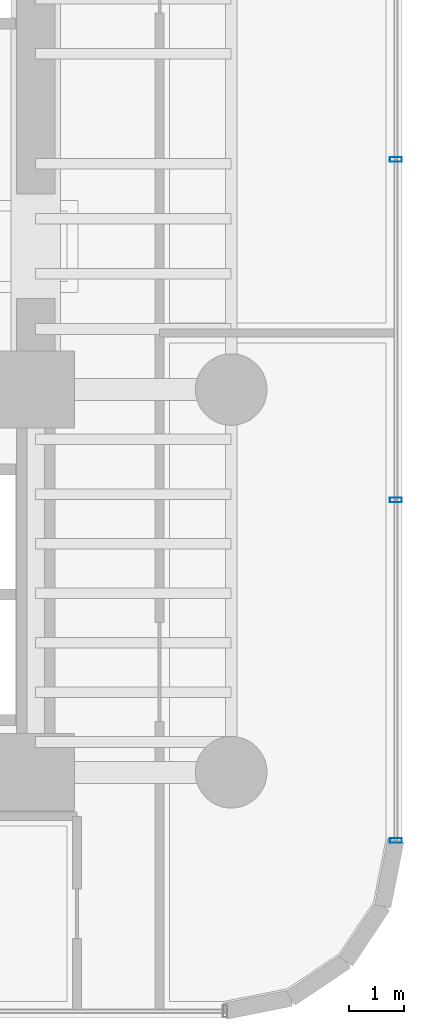
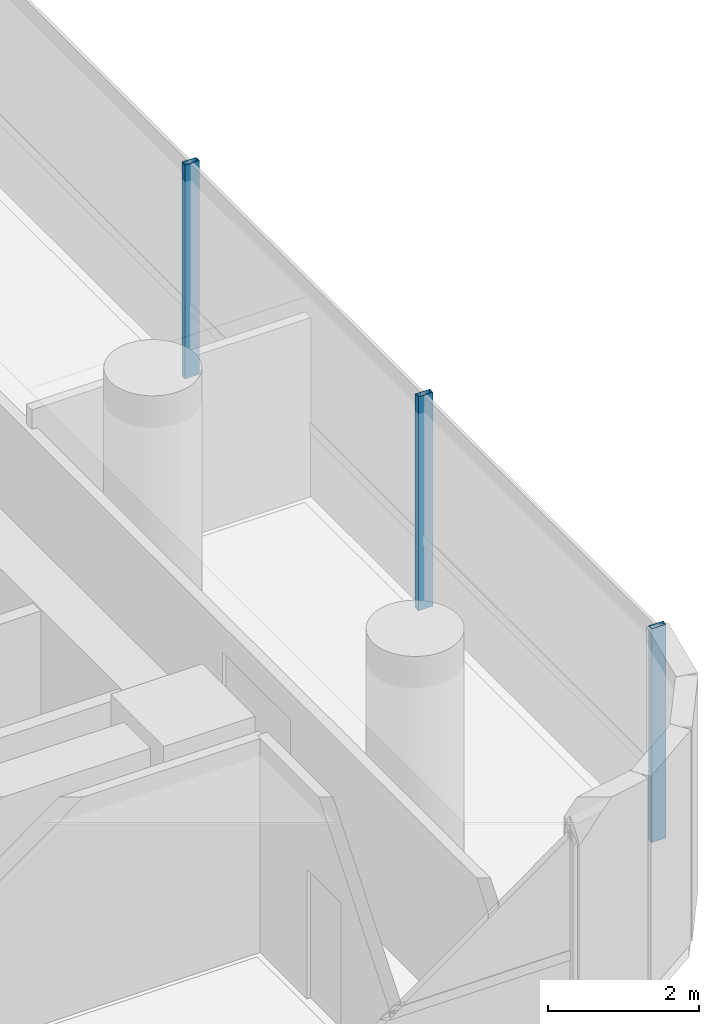
# One storey, part 25 of 40: 3 members, 1 element without a shape of its own.
"""IFC4 building model written with IfcOpenShell, lengths in metres."""

from ifc_helpers import new_model, si_unit, direction, frame, origin, origin_2d, place, context, subcontext, project, spatial, hollow_rectangle, extrude, source, transform, mapped, material, material_profile, profile_set, type_object, element, aggregate, save


model = new_model("IFC4")

# Units and contexts
model_context = context("Model", 3, precision=1e-05, world=origin(), true_north=direction((0.0, 1.0)))
body_context = subcontext(model_context, "Body", "Model", "MODEL_VIEW")
ifc_project = project(units=[si_unit("LENGTHUNIT", "METRE"), si_unit("AREAUNIT", "SQUARE_METRE"), si_unit("VOLUMEUNIT", "CUBIC_METRE"), si_unit("PLANEANGLEUNIT", "RADIAN"), si_unit("MASSUNIT", "GRAM", prefix="KILO")], contexts=[model_context])

# Site, building, storey
site_placement = place(None, origin())
site = spatial("IfcSite", under=ifc_project, at=site_placement, CompositionType="ELEMENT")
building_placement = place(site_placement, origin())
building = spatial("IfcBuilding", under=site, at=building_placement, Name="Valdorenza Pilgrim Sanctuary Tower", CompositionType="ELEMENT")
storey_placement = place(building_placement, frame((0.0, 0.0, 92.60009765625)))
storey = spatial("IfcBuildingStorey", under=building, at=storey_placement, Name="L23", CompositionType="ELEMENT", Elevation=92.60009765625)

# Curtain wall, members
ifc_material_1 = material(Name="Curtain-wall IGU glazing", Category="glass")
curtain_wall_type = type_object("IfcCurtainWallType", Name="CW-SYS-03", PredefinedType="NOTDEFINED", material=ifc_material_1)
curtain_wall_placement = place(storey_placement, origin())
curtain_wall = element("IfcCurtainWall", 1, at=curtain_wall_placement, inside=storey, type_object=curtain_wall_type, Name="L23 Curtain Wall CW-L23-1-21", PredefinedType="NOTDEFINED")
ifc_material_2 = material(Name="Anodised aluminium AW-6060", Category="aluminium")
ifc_material_profile = material_profile(ifc_material_2, hollow_rectangle(XDim=0.0849609375, YDim=0.219970703125, WallThickness=0.0048828125, at=origin_2d()), Name="ALU-M 220x85x5")
ifc_profile_set = profile_set([ifc_material_profile], Name="Anodised aluminium AW-6060")
member_type = type_object("IfcMemberType", Name="CW-MUL-03", PredefinedType="MULLION", material=ifc_profile_set)
shared_shape = source(origin(), body_context, "Body", "SweptSolid", [
    extrude(hollow_rectangle(XDim=0.0849609375, YDim=0.219970703125, WallThickness=0.0048828125, at=origin_2d()), origin(), (0.0, 0.0, 1.0), 3.4599609375),
])
member_1_placement = place(storey_placement, frame((31.389892578125, 1.577880859375, 0.0), z_axis=(0.0, 0.0, 1.0), x_axis=(0.0, -1.0, 0.0)))
member_1 = element("IfcMember", 2, at=member_1_placement, type_object=member_type, Name="CW-L23-1-21 Mullion 3", PredefinedType="MULLION", context=body_context, shape_type="MappedRepresentation", body=[
    mapped(shared_shape, transform((0.0, 0.0, 0.0), x_axis=(1.0, 0.0, 0.0), y_axis=(0.0, 1.0, 0.0), z_axis=(0.0, 0.0, 1.0), scale=1.0)),
])
member_2_placement = place(storey_placement, frame((31.389892578125, -4.605712890625, 0.0), z_axis=(0.0, 0.0, 1.0), x_axis=(0.0, -1.0, 0.0)))
member_2 = element("IfcMember", 3, at=member_2_placement, type_object=member_type, Name="CW-L23-1-21 Mullion 4", PredefinedType="MULLION", context=body_context, shape_type="MappedRepresentation", body=[
    mapped(shared_shape, transform((0.0, 0.0, 0.0), x_axis=(1.0, 0.0, 0.0), y_axis=(0.0, 1.0, 0.0), z_axis=(0.0, 0.0, 1.0), scale=1.0)),
])
member_3_placement = place(storey_placement, frame((31.389892578125, -10.789306640625, 0.0), z_axis=(0.0, 0.0, 1.0), x_axis=(0.0, -1.0, 0.0)))
member_3 = element("IfcMember", 4, at=member_3_placement, type_object=member_type, Name="CW-L23-1-21 Mullion 5", PredefinedType="MULLION", context=body_context, shape_type="MappedRepresentation", body=[
    mapped(shared_shape, transform((0.0, 0.0, 0.0), x_axis=(1.0, 0.0, 0.0), y_axis=(0.0, 1.0, 0.0), z_axis=(0.0, 0.0, 1.0), scale=1.0)),
])
aggregate(curtain_wall, [member_1, member_2, member_3])

save(model, "model.ifc")
